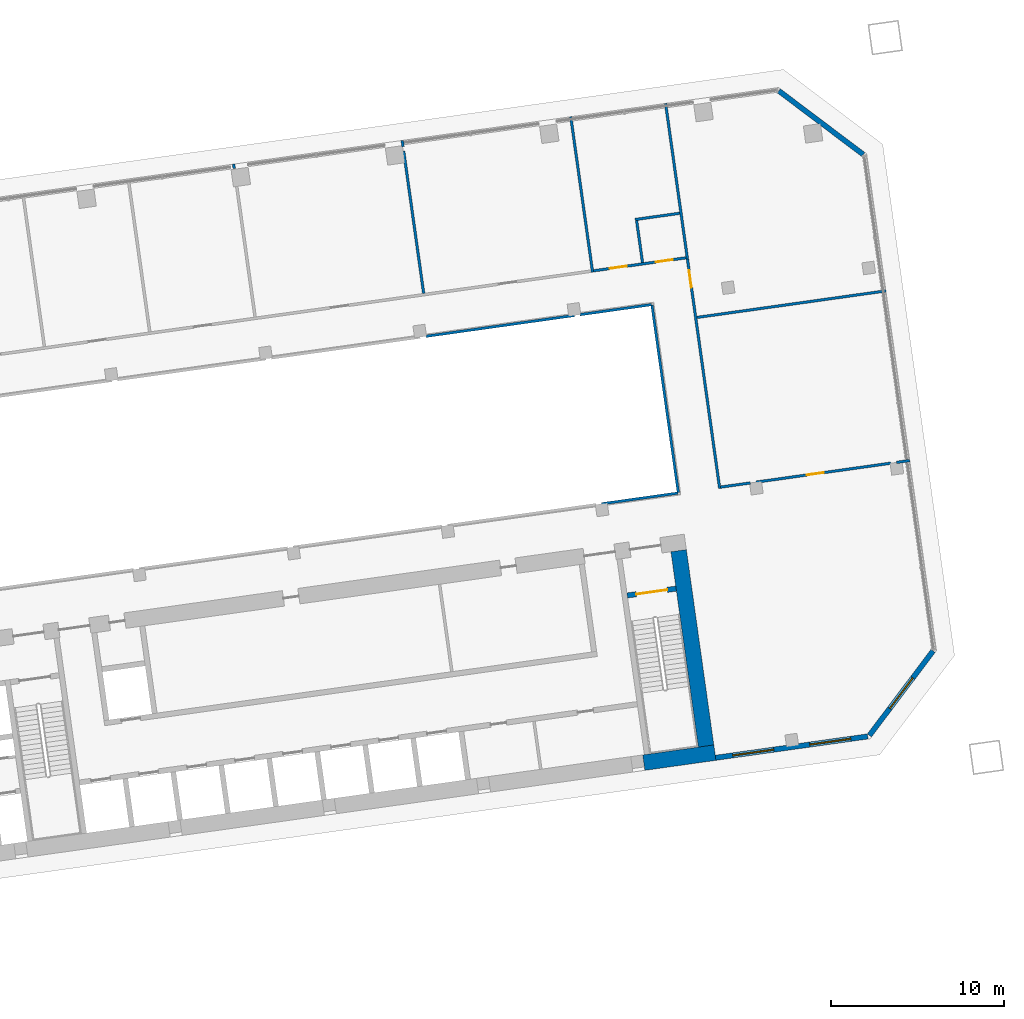
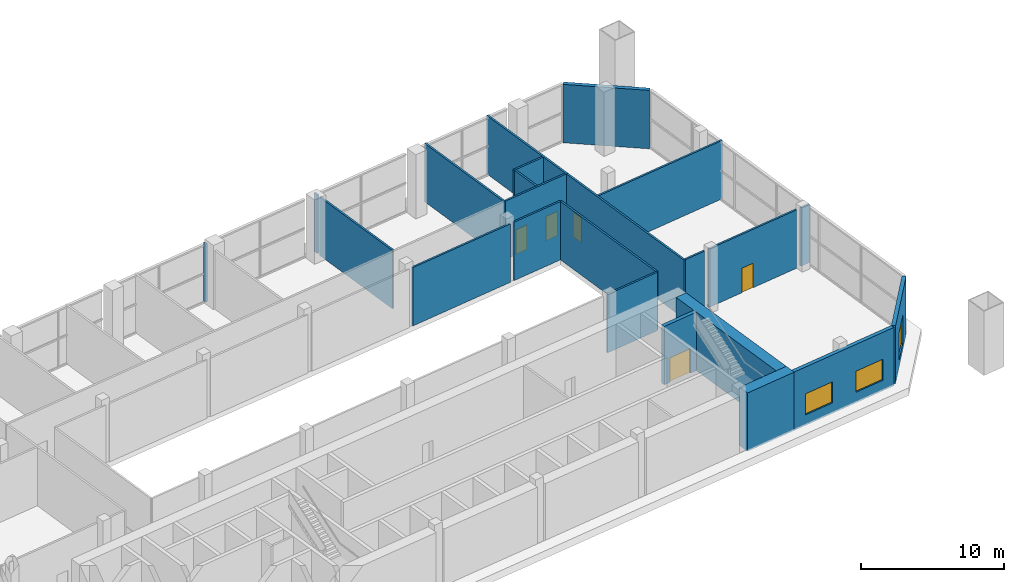
# One storey, part 18 of 23: 23 walls, 5 doors, 3 windows, 8 openings.
"""IFC4 building model written with IfcOpenShell, lengths in metres."""

from ifc_helpers import new_model, si_unit, direction, frame, frame_2d, origin, place, context, subcontext, project, spatial, rectangle, extrude, material, layer, layer_set, type_object, element, fill, save


model = new_model("IFC4")

# Units and contexts
model_context = context("Model", 3, precision=1e-05, world=origin(), true_north=direction((0.0, 1.0)))
body_context = subcontext(model_context, "Body", "Model", "MODEL_VIEW")
ifc_project = project(units=[si_unit("LENGTHUNIT", "METRE"), si_unit("AREAUNIT", "SQUARE_METRE"), si_unit("VOLUMEUNIT", "CUBIC_METRE"), si_unit("PLANEANGLEUNIT", "RADIAN"), si_unit("MASSUNIT", "GRAM", prefix="KILO")], contexts=[model_context])

# Site, building, storey
site_placement = place(None, origin())
site = spatial("IfcSite", under=ifc_project, at=site_placement, CompositionType="ELEMENT")
building_placement = place(site_placement, origin())
building = spatial("IfcBuilding", under=site, at=building_placement, Name="Mirante Cascada Hotel Towers", CompositionType="ELEMENT")
storey_placement = place(building_placement, frame((0.0, 0.0, 23.5)))
storey = spatial("IfcBuildingStorey", under=building, at=storey_placement, Name="L03", CompositionType="ELEMENT", Elevation=23.5)

# Wall
ifc_material_1 = material(Name="Masonry block", Category="masonry")
ifc_layer_1 = layer(ifc_material_1, 0.15)
ifc_layer_set_1 = layer_set([ifc_layer_1], Name="Corridor wall 150 block")
wall_type_1 = type_object("IfcWallType", Name="Corridor wall 150 block", PredefinedType="PARTITIONING", material=ifc_layer_set_1)
wall_1_placement = place(storey_placement, frame((86.8771, 13.638, 0.0), z_axis=(0.0, 0.0, 1.0), x_axis=(0.1391764, -0.9902676, 0.0)))
element("IfcWall", 1, at=wall_1_placement, inside=storey, type_object=wall_type_1, Name="Corridor wall T2 L03", PredefinedType="PARTITIONING", context=body_context, shape_type="SweptSolid", body=[
    extrude(rectangle(XDim=10.9401, YDim=0.15, at=frame_2d((5.47, 0.0))), origin(), (0.0, 0.0, 1.0), 5.0),
])

# Wall, opening, door
wall_2_placement = place(storey_placement, frame((88.926, 16.3041, 0.0), z_axis=(0.0, 0.0, 1.0), x_axis=(0.1391789, -0.9902673, 0.0)))
wall_2 = element("IfcWall", 2, at=wall_2_placement, inside=storey, type_object=wall_type_1, Name="Corridor wall T2 L03", PredefinedType="PARTITIONING", context=body_context, shape_type="SweptSolid", body=[
    extrude(rectangle(XDim=13.4, YDim=0.15, at=frame_2d((6.7, 0.0))), origin(), (0.0, 0.0, 1.0), 5.0),
])
opening_1_placement = place(wall_2_placement, frame((0.6675, 0.0, 0.0)))
opening_1 = element("IfcOpeningElement", 3, at=opening_1_placement, cuts=wall_2, Name="Opening DP2-L03-04", PredefinedType="OPENING", context=body_context, shape_type="SweptSolid", body=[
    extrude(rectangle(XDim=1.0, YDim=2.1, at=frame_2d((0.5, 1.05))), frame((0.0, 0.075, 0.0), z_axis=(0.0, -1.0, 0.0), x_axis=(1.0, 0.0, 0.0)), (0.0, 0.0, 1.0), 0.15),
])
ifc_material_2 = material(Name="Timber door leaf", Category="wood")
door_type_1 = type_object("IfcDoorType", Name="Single door 1000x2100", OperationType="NOTDEFINED", PredefinedType="DOOR", material=ifc_material_2)
door_1_placement = place(opening_1_placement, origin())
door_1 = element("IfcDoor", 4, at=door_1_placement, inside=storey, type_object=door_type_1, Name="Door DP2-L03-04", OperationType="SINGLE_SWING_RIGHT", OverallHeight=2.1, OverallWidth=1.0, PredefinedType="DOOR", context=body_context, shape_type="SweptSolid", body=[
    extrude(rectangle(XDim=1.0, YDim=2.1, at=frame_2d((0.5, 1.05))), frame((0.0, 0.025, 0.0), z_axis=(0.0, -1.0, 0.0), x_axis=(1.0, 0.0, 0.0)), (0.0, 0.0, 1.0), 0.05),
])
fill(opening_1, door_1)

# Walls
wall_3_placement = place(storey_placement, frame((90.8449, 3.1178, 0.0), z_axis=(0.0, 0.0, 1.0), x_axis=(0.9902659, 0.1391884, 0.0)))
element("IfcWall", 5, at=wall_3_placement, inside=storey, type_object=wall_type_1, Name="Corridor wall T2 L03", PredefinedType="PARTITIONING", context=body_context, shape_type="SweptSolid", body=[
    extrude(rectangle(XDim=1.7307, YDim=0.15, at=frame_2d((0.8654, 0.0))), origin(), (0.0, 0.0, 1.0), 5.0),
])
wall_4_placement = place(storey_placement, frame((83.9719, 2.1518, 0.0), z_axis=(0.0, 0.0, 1.0), x_axis=(0.9902682, 0.1391725, 0.0)))
element("IfcWall", 6, at=wall_4_placement, inside=storey, type_object=wall_type_1, Name="Corridor wall T2 L03", PredefinedType="PARTITIONING", context=body_context, shape_type="SweptSolid", body=[
    extrude(rectangle(XDim=4.4456, YDim=0.15, at=frame_2d((2.2228, 0.0))), origin(), (0.0, 0.0, 1.0), 5.0),
])

# Wall, opening, door
wall_5_placement = place(storey_placement, frame((92.8842, 3.4044, 0.0), z_axis=(0.0, 0.0, 1.0), x_axis=(0.9902679, 0.1391746, 0.0)))
wall_5 = element("IfcWall", 7, at=wall_5_placement, inside=storey, type_object=wall_type_1, Name="Corridor wall T2 L03", PredefinedType="PARTITIONING", context=body_context, shape_type="SweptSolid", body=[
    extrude(rectangle(XDim=7.8714, YDim=0.15, at=frame_2d((3.9357, 0.0))), origin(), (0.0, 0.0, 1.0), 5.0),
])
opening_2_placement = place(wall_5_placement, frame((2.9582, 0.0, 0.0)))
opening_2 = element("IfcOpeningElement", 8, at=opening_2_placement, cuts=wall_5, Name="Opening DP2-L03-03", PredefinedType="OPENING", context=body_context, shape_type="SweptSolid", body=[
    extrude(rectangle(XDim=1.0, YDim=2.1, at=frame_2d((0.5, 1.05))), frame((0.0, 0.075, 0.0), z_axis=(0.0, -1.0, 0.0), x_axis=(1.0, 0.0, 0.0)), (0.0, 0.0, 1.0), 0.15),
])
door_2_placement = place(opening_2_placement, origin())
door_2 = element("IfcDoor", 9, at=door_2_placement, inside=storey, type_object=door_type_1, Name="Door DP2-L03-03", OperationType="SINGLE_SWING_LEFT", OverallHeight=2.1, OverallWidth=1.0, PredefinedType="DOOR", context=body_context, shape_type="SweptSolid", body=[
    extrude(rectangle(XDim=1.0, YDim=2.1, at=frame_2d((0.5, 1.05))), frame((0.0, 0.025, 0.0), z_axis=(0.0, -1.0, 0.0), x_axis=(1.0, 0.0, 0.0)), (0.0, 0.0, 1.0), 0.05),
])
fill(opening_2, door_2)

# Walls
wall_6_placement = place(storey_placement, frame((101.0045, 4.5456, 0.0), z_axis=(0.0, 0.0, 1.0), x_axis=(0.9902566, 0.1392548, 0.0)))
element("IfcWall", 10, at=wall_6_placement, inside=storey, type_object=wall_type_1, Name="Corridor wall T2 L03", PredefinedType="PARTITIONING", context=body_context, shape_type="SweptSolid", body=[
    extrude(rectangle(XDim=0.7756, YDim=0.15, at=frame_2d((0.3878, 0.0))), origin(), (0.0, 0.0, 1.0), 5.0),
])
wall_7_placement = place(storey_placement, frame((73.8056, 11.8312, 0.0), z_axis=(0.0, 0.0, 1.0), x_axis=(0.9902682, 0.139172, 0.0)))
element("IfcWall", 11, at=wall_7_placement, inside=storey, type_object=wall_type_1, Name="Corridor wall T2 L03", PredefinedType="PARTITIONING", context=body_context, shape_type="SweptSolid", body=[
    extrude(rectangle(XDim=8.6713, YDim=0.15, at=frame_2d((4.3356, 0.0))), origin(), (0.0, 0.0, 1.0), 5.0),
])
wall_8_placement = place(storey_placement, frame((82.718, 13.0837, 0.0), z_axis=(0.0, 0.0, 1.0), x_axis=(0.9902672, 0.1391794, 0.0)))
element("IfcWall", 12, at=wall_8_placement, inside=storey, type_object=wall_type_1, Name="Corridor wall T2 L03", PredefinedType="PARTITIONING", context=body_context, shape_type="SweptSolid", body=[
    extrude(rectangle(XDim=4.1658, YDim=0.15, at=frame_2d((2.0829, 0.0))), origin(), (0.0, 0.0, 1.0), 5.0),
])
ifc_material_3 = material(Name="Masonry block", Category="masonry")
ifc_layer_2 = layer(ifc_material_3, 0.15)
ifc_layer_set_2 = layer_set([ifc_layer_2], Name="Partition 150 block")
wall_type_2 = type_object("IfcWallType", Name="Partition 150 block", PredefinedType="PARTITIONING", material=ifc_layer_set_2)
wall_9_placement = place(storey_placement, frame((62.7009, 21.7825, 0.0), z_axis=(0.0, 0.0, 1.0), x_axis=(0.1393643, -0.9902412, 0.0)))
element("IfcWall", 13, at=wall_9_placement, inside=storey, type_object=wall_type_2, Name="Partition T2 L03", PredefinedType="PARTITIONING", context=body_context, shape_type="SweptSolid", body=[
    extrude(rectangle(XDim=0.2519, YDim=0.15, at=frame_2d((0.126, 0.0))), origin(), (0.0, 0.0, 1.0), 5.0),
])
wall_10_placement = place(storey_placement, frame((72.4422, 23.1516, 0.0), z_axis=(0.0, 0.0, 1.0), x_axis=(0.1393751, -0.9902397, 0.0)))
element("IfcWall", 14, at=wall_10_placement, inside=storey, type_object=wall_type_2, Name="Partition T2 L03", PredefinedType="PARTITIONING", context=body_context, shape_type="SweptSolid", body=[
    extrude(rectangle(XDim=0.3695, YDim=0.15, at=frame_2d((0.1848, 0.0))), origin(), (0.0, 0.0, 1.0), 5.0),
])
wall_11_placement = place(storey_placement, frame((89.477, 12.9228, 0.0), z_axis=(0.0, 0.0, 1.0), x_axis=(0.9902679, 0.1391746, 0.0)))
element("IfcWall", 15, at=wall_11_placement, inside=storey, type_object=wall_type_2, Name="Partition T2 L03", PredefinedType="PARTITIONING", context=body_context, shape_type="SweptSolid", body=[
    extrude(rectangle(XDim=11.025, YDim=0.15, at=frame_2d((5.5125, 0.0))), origin(), (0.0, 0.0, 1.0), 5.0),
])
wall_12_placement = place(storey_placement, frame((72.5291, 22.5335, 0.0), z_axis=(0.0, 0.0, 1.0), x_axis=(0.1391795, -0.9902672, 0.0)))
element("IfcWall", 16, at=wall_12_placement, inside=storey, type_object=wall_type_2, Name="Partition T2 L03", PredefinedType="PARTITIONING", context=body_context, shape_type="SweptSolid", body=[
    extrude(rectangle(XDim=8.3008, YDim=0.15, at=frame_2d((4.1504, 0.0))), origin(), (0.0, 0.0, 1.0), 5.0),
])

# Wall, openings, windows
ifc_material_4 = material(Name="Precast concrete C40/50", Category="concrete")
ifc_layer_3 = layer(ifc_material_4, 0.3)
ifc_layer_set_3 = layer_set([ifc_layer_3], Name="Precast concrete C40/50 cladding wall 300")
wall_type_3 = type_object("IfcWallType", Name="Precast concrete C40/50 cladding wall 300", PredefinedType="STANDARD", material=ifc_layer_set_3)
wall_13_placement = place(storey_placement, frame((90.5541, -12.5249, 0.0), z_axis=(0.0, 0.0, 1.0), x_axis=(0.9902676, 0.1391765, 0.0)))
wall_13 = element("IfcWall", 17, at=wall_13_placement, inside=storey, type_object=wall_type_3, Name="Rear cladding wall T2 L03 1", PredefinedType="STANDARD", context=body_context, shape_type="SweptSolid", body=[
    extrude(rectangle(XDim=8.8758, YDim=0.3, at=frame_2d((4.4379, 0.0))), origin(), (0.0, 0.0, 1.0), 5.0),
])
opening_3_placement = place(wall_13_placement, frame((1.0012, 0.0, 0.9)))
opening_3 = element("IfcOpeningElement", 18, at=opening_3_placement, cuts=wall_13, Name="Opening W2-03-01", PredefinedType="OPENING", context=body_context, shape_type="SweptSolid", body=[
    extrude(rectangle(XDim=2.4, YDim=1.8, at=frame_2d((1.2, 0.9))), frame((0.0, 0.15, 0.0), z_axis=(0.0, -1.0, 0.0), x_axis=(1.0, 0.0, 0.0)), (0.0, 0.0, 1.0), 0.3),
])
opening_4_placement = place(wall_13_placement, frame((5.4923, 0.0, 0.9)))
opening_4 = element("IfcOpeningElement", 19, at=opening_4_placement, cuts=wall_13, Name="Opening W2-03-02", PredefinedType="OPENING", context=body_context, shape_type="SweptSolid", body=[
    extrude(rectangle(XDim=2.4, YDim=1.8, at=frame_2d((1.2, 0.9))), frame((0.0, 0.15, 0.0), z_axis=(0.0, -1.0, 0.0), x_axis=(1.0, 0.0, 0.0)), (0.0, 0.0, 1.0), 0.3),
])
ifc_material_5 = material(Name="Aluminium frame with clear double glazing", Category="aluminium")
window_type_1 = type_object("IfcWindowType", Name="Punched window 2400x1800", PartitioningType="DOUBLE_PANEL_VERTICAL", PredefinedType="WINDOW", material=ifc_material_5)
window_1_placement = place(opening_3_placement, origin())
window_1 = element("IfcWindow", 20, at=window_1_placement, inside=storey, type_object=window_type_1, Name="Window W2-03-01", OverallHeight=1.8, OverallWidth=2.4, PartitioningType="SINGLE_PANEL", PredefinedType="WINDOW", context=body_context, shape_type="SweptSolid", body=[
    extrude(rectangle(XDim=2.4, YDim=1.8, at=frame_2d((1.2, 0.9))), frame((0.0, 0.03, 0.0), z_axis=(0.0, -1.0, 0.0), x_axis=(1.0, 0.0, 0.0)), (0.0, 0.0, 1.0), 0.06),
])
fill(opening_3, window_1)
window_2_placement = place(opening_4_placement, origin())
window_2 = element("IfcWindow", 21, at=window_2_placement, inside=storey, type_object=window_type_1, Name="Window W2-03-02", OverallHeight=1.8, OverallWidth=2.4, PartitioningType="SINGLE_PANEL", PredefinedType="WINDOW", context=body_context, shape_type="SweptSolid", body=[
    extrude(rectangle(XDim=2.4, YDim=1.8, at=frame_2d((1.2, 0.9))), frame((0.0, 0.03, 0.0), z_axis=(0.0, -1.0, 0.0), x_axis=(1.0, 0.0, 0.0)), (0.0, 0.0, 1.0), 0.06),
])
fill(opening_4, window_2)

# Wall, opening, window
wall_14_placement = place(storey_placement, frame((99.4424, -11.2313, 0.0), z_axis=(0.0, 0.0, 1.0), x_axis=(0.6018194, 0.7986322, 0.0)))
wall_14 = element("IfcWall", 22, at=wall_14_placement, inside=storey, type_object=wall_type_3, Name="Corner cladding wall T2 L03 rear outer", PredefinedType="STANDARD", context=body_context, shape_type="SweptSolid", body=[
    extrude(rectangle(XDim=6.1155, YDim=0.3, at=frame_2d((3.0578, 0.0))), origin(), (0.0, 0.0, 1.0), 5.0),
])
opening_5_placement = place(wall_14_placement, frame((1.9576, 0.0, 0.6)))
opening_5 = element("IfcOpeningElement", 23, at=opening_5_placement, cuts=wall_14, Name="Opening W2-03-03", PredefinedType="OPENING", context=body_context, shape_type="SweptSolid", body=[
    extrude(rectangle(XDim=2.2, YDim=2.4, at=frame_2d((1.1, 1.2))), frame((0.0, 0.15, 0.0), z_axis=(0.0, -1.0, 0.0), x_axis=(1.0, 0.0, 0.0)), (0.0, 0.0, 1.0), 0.3),
])
ifc_material_6 = material(Name="Aluminium frame with clear double glazing", Category="aluminium")
window_type_2 = type_object("IfcWindowType", Name="Corner suite window 2200x2400", PartitioningType="DOUBLE_PANEL_VERTICAL", PredefinedType="WINDOW", material=ifc_material_6)
window_3_placement = place(opening_5_placement, origin())
window_3 = element("IfcWindow", 24, at=window_3_placement, inside=storey, type_object=window_type_2, Name="Window W2-03-03", OverallHeight=2.4, OverallWidth=2.2, PartitioningType="SINGLE_PANEL", PredefinedType="WINDOW", context=body_context, shape_type="SweptSolid", body=[
    extrude(rectangle(XDim=2.2, YDim=2.4, at=frame_2d((1.1, 1.2))), frame((0.0, 0.03, 0.0), z_axis=(0.0, -1.0, 0.0), x_axis=(1.0, 0.0, 0.0)), (0.0, 0.0, 1.0), 0.06),
])
fill(opening_5, window_3)

# Wall
wall_15_placement = place(storey_placement, frame((99.0919, 22.3343, 0.0), z_axis=(0.0, 0.0, 1.0), x_axis=(-0.7986362, 0.6018141, 0.0)))
element("IfcWall", 25, at=wall_15_placement, inside=storey, type_object=wall_type_3, Name="Corner cladding wall T2 L03 outer front", PredefinedType="STANDARD", context=body_context, shape_type="SweptSolid", body=[
    extrude(rectangle(XDim=6.1157, YDim=0.3, at=frame_2d((3.0578, 0.0))), origin(), (0.0, 0.0, 1.0), 5.0),
])

# Wall, opening, door
ifc_material_7 = material(Name="Concrete C50/60", Category="concrete")
ifc_layer_4 = layer(ifc_material_7, 0.3)
ifc_layer_set_4 = layer_set([ifc_layer_4], Name="RC core wall 300 C50/60")
wall_type_4 = type_object("IfcWallType", Name="RC core wall 300 C50/60", PredefinedType="SHEAR", material=ifc_layer_set_4)
wall_16_placement = place(storey_placement, frame((85.4489, -3.1441, 0.0), z_axis=(0.0, 0.0, 1.0), x_axis=(0.9902697, 0.1391613, 0.0)))
wall_16 = element("IfcWall", 26, at=wall_16_placement, inside=storey, type_object=wall_type_4, Name="Core wall T2:L03:11", PredefinedType="SHEAR", context=body_context, shape_type="SweptSolid", body=[
    extrude(rectangle(XDim=2.8499, YDim=0.3, at=frame_2d((1.425, 0.0))), origin(), (0.0, 0.0, 1.0), 5.0),
])
opening_6_placement = place(wall_16_placement, frame((0.525, 0.0, 0.0)))
opening_6 = element("IfcOpeningElement", 27, at=opening_6_placement, cuts=wall_16, Name="Opening D2-03-C20", PredefinedType="OPENING", context=body_context, shape_type="SweptSolid", body=[
    extrude(rectangle(XDim=1.8, YDim=2.1, at=frame_2d((0.9, 1.05))), frame((0.0, 0.15, 0.0), z_axis=(0.0, -1.0, 0.0), x_axis=(1.0, 0.0, 0.0)), (0.0, 0.0, 1.0), 0.3),
])
ifc_material_8 = material(Name="Hollow metal fire door leaf")
door_type_2 = type_object("IfcDoorType", Name="Double fire door 1800x2100 FD60", OperationType="DOUBLE_DOOR_SINGLE_SWING", PredefinedType="DOOR", material=ifc_material_8)
door_3_placement = place(opening_6_placement, frame((1.8, 0.0, 0.0), z_axis=(0.0, 0.0, 1.0), x_axis=(-1.0, 0.0, 0.0)))
door_3 = element("IfcDoor", 28, at=door_3_placement, inside=storey, type_object=door_type_2, Name="Stair door T2 L03 20", OperationType="DOUBLE_DOOR_SINGLE_SWING", OverallHeight=2.1, OverallWidth=1.8, PredefinedType="DOOR", context=body_context, shape_type="SweptSolid", body=[
    extrude(rectangle(XDim=0.895, YDim=2.1, at=frame_2d((0.4475, 1.05))), frame((0.0, 0.025, 0.0), z_axis=(0.0, -1.0, 0.0), x_axis=(1.0, 0.0, 0.0)), (0.0, 0.0, 1.0), 0.05),
    extrude(rectangle(XDim=0.895, YDim=2.1, at=frame_2d((1.3525, 1.05))), frame((0.0, 0.025, 0.0), z_axis=(0.0, -1.0, 0.0), x_axis=(1.0, 0.0, 0.0)), (0.0, 0.0, 1.0), 0.05),
])
fill(opening_6, door_3)

# Walls
ifc_material_9 = material(Name="Concrete C50/60", Category="concrete")
ifc_layer_5 = layer(ifc_material_9, 0.9)
ifc_layer_set_5 = layer_set([ifc_layer_5], Name="RC core wall 900 C50/60")
wall_type_5 = type_object("IfcWallType", Name="RC core wall 900 C50/60", PredefinedType="SHEAR", material=ifc_layer_set_5)
wall_17_placement = place(storey_placement, frame((86.4027, -12.8054, 0.0), z_axis=(0.0, 0.0, 1.0), x_axis=(0.990267, 0.139181, 0.0)))
element("IfcWall", 29, at=wall_17_placement, inside=storey, type_object=wall_type_5, Name="Core wall T2:L03:1.7", PredefinedType="SHEAR", context=body_context, shape_type="SweptSolid", body=[
    extrude(rectangle(XDim=4.15, YDim=0.9, at=frame_2d((2.075, 0.0))), origin(), (0.0, 0.0, 1.0), 5.0),
])
wall_18_placement = place(storey_placement, frame((90.0041, -11.8449, 0.0), z_axis=(0.0, 0.0, 1.0), x_axis=(-0.1391749, 0.9902678, 0.0)))
element("IfcWall", 30, at=wall_18_placement, inside=storey, type_object=wall_type_5, Name="Core wall T2:L03:4", PredefinedType="SHEAR", context=body_context, shape_type="SweptSolid", body=[
    extrude(rectangle(XDim=11.4, YDim=0.9, at=frame_2d((5.7, 0.0))), origin(), (0.0, 0.0, 1.0), 5.0),
])
ifc_material_10 = material(Name="Masonry block", Category="masonry")
ifc_layer_6 = layer(ifc_material_10, 0.15)
ifc_layer_set_6 = layer_set([ifc_layer_6], Name="Wet room wall 150 block")
wall_type_6 = type_object("IfcWallType", Name="Wet room wall 150 block", PredefinedType="PARTITIONING", material=ifc_layer_set_6)
wall_19_placement = place(storey_placement, frame((82.1836, 24.5206, 0.0), z_axis=(0.0, 0.0, 1.0), x_axis=(0.139164, -0.9902693, 0.0)))
element("IfcWall", 31, at=wall_19_placement, inside=storey, type_object=wall_type_6, Name="Wet room wall T2 L03", PredefinedType="PARTITIONING", context=body_context, shape_type="SweptSolid", body=[
    extrude(rectangle(XDim=9.0749, YDim=0.15, at=frame_2d((4.5374, 0.0))), origin(), (0.0, 0.0, 1.0), 5.0),
])
wall_20_placement = place(storey_placement, frame((85.9895, 18.5169, 0.0), z_axis=(0.0, 0.0, 1.0), x_axis=(0.139181, -0.990267, 0.0)))
element("IfcWall", 32, at=wall_20_placement, inside=storey, type_object=wall_type_6, Name="Wet room wall T2 L03", PredefinedType="PARTITIONING", context=body_context, shape_type="SweptSolid", body=[
    extrude(rectangle(XDim=2.45, YDim=0.15, at=frame_2d((1.225, 0.0))), origin(), (0.0, 0.0, 1.0), 5.0),
])
wall_21_placement = place(storey_placement, frame((87.663, 25.2907, 0.0), z_axis=(0.0, 0.0, 1.0), x_axis=(0.1391742, -0.9902679, 0.0)))
element("IfcWall", 33, at=wall_21_placement, inside=storey, type_object=wall_type_6, Name="Wet room wall T2 L03", PredefinedType="PARTITIONING", context=body_context, shape_type="SweptSolid", body=[
    extrude(rectangle(XDim=9.085, YDim=0.15, at=frame_2d((4.5425, 0.0))), origin(), (0.0, 0.0, 1.0), 5.0),
])

# Wall, openings, doors
wall_22_placement = place(storey_placement, frame((83.5005, 15.6173, 0.0), z_axis=(0.0, 0.0, 1.0), x_axis=(0.9902681, 0.139173, 0.0)))
wall_22 = element("IfcWall", 34, at=wall_22_placement, inside=storey, type_object=wall_type_6, Name="Wet room wall T2 L03", PredefinedType="PARTITIONING", context=body_context, shape_type="SweptSolid", body=[
    extrude(rectangle(XDim=5.3933, YDim=0.15, at=frame_2d((2.6966, 0.0))), origin(), (0.0, 0.0, 1.0), 5.0),
])
opening_7_placement = place(wall_22_placement, frame((0.9342, 0.0, 0.0)))
opening_7 = element("IfcOpeningElement", 35, at=opening_7_placement, cuts=wall_22, Name="Opening DP2-L03-11", PredefinedType="OPENING", context=body_context, shape_type="SweptSolid", body=[
    extrude(rectangle(XDim=1.0, YDim=2.1, at=frame_2d((0.5, 1.05))), frame((0.0, 0.075, 0.0), z_axis=(0.0, -1.0, 0.0), x_axis=(1.0, 0.0, 0.0)), (0.0, 0.0, 1.0), 0.15),
])
opening_8_placement = place(wall_22_placement, frame((3.6308, 0.0, 0.0)))
opening_8 = element("IfcOpeningElement", 36, at=opening_8_placement, cuts=wall_22, Name="Opening DP2-L03-12", PredefinedType="OPENING", context=body_context, shape_type="SweptSolid", body=[
    extrude(rectangle(XDim=1.0, YDim=2.1, at=frame_2d((0.5, 1.05))), frame((0.0, 0.075, 0.0), z_axis=(0.0, -1.0, 0.0), x_axis=(1.0, 0.0, 0.0)), (0.0, 0.0, 1.0), 0.15),
])
door_4_placement = place(opening_7_placement, origin())
door_4 = element("IfcDoor", 37, at=door_4_placement, inside=storey, type_object=door_type_1, Name="Door DP2-L03-11", OperationType="SINGLE_SWING_LEFT", OverallHeight=2.1, OverallWidth=1.0, PredefinedType="DOOR", context=body_context, shape_type="SweptSolid", body=[
    extrude(rectangle(XDim=1.0, YDim=2.1, at=frame_2d((0.5, 1.05))), frame((0.0, 0.025, 0.0), z_axis=(0.0, -1.0, 0.0), x_axis=(1.0, 0.0, 0.0)), (0.0, 0.0, 1.0), 0.05),
])
fill(opening_7, door_4)
door_5_placement = place(opening_8_placement, origin())
door_5 = element("IfcDoor", 38, at=door_5_placement, inside=storey, type_object=door_type_1, Name="Door DP2-L03-12", OperationType="SINGLE_SWING_RIGHT", OverallHeight=2.1, OverallWidth=1.0, PredefinedType="DOOR", context=body_context, shape_type="SweptSolid", body=[
    extrude(rectangle(XDim=1.0, YDim=2.1, at=frame_2d((0.5, 1.05))), frame((0.0, 0.025, 0.0), z_axis=(0.0, -1.0, 0.0), x_axis=(1.0, 0.0, 0.0)), (0.0, 0.0, 1.0), 0.05),
])
fill(opening_8, door_5)

# Wall
wall_23_placement = place(storey_placement, frame((85.9048, 18.5807, 0.0), z_axis=(0.0, 0.0, 1.0), x_axis=(0.9902654, 0.1391918, 0.0)))
element("IfcWall", 39, at=wall_23_placement, inside=storey, type_object=wall_type_6, Name="Wet room wall T2 L03", PredefinedType="PARTITIONING", context=body_context, shape_type="SweptSolid", body=[
    extrude(rectangle(XDim=2.6, YDim=0.15, at=frame_2d((1.3, 0.0))), origin(), (0.0, 0.0, 1.0), 5.0),
])

save(model, "model.ifc")
